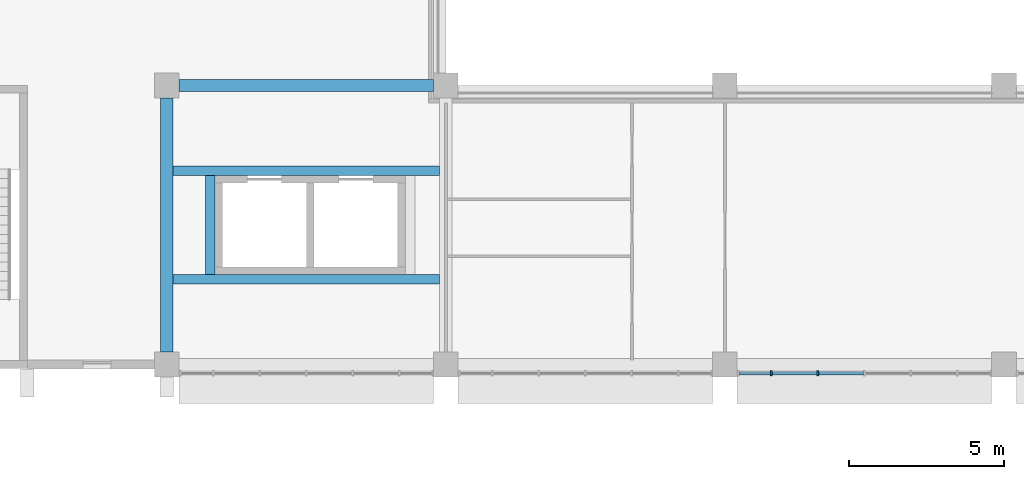
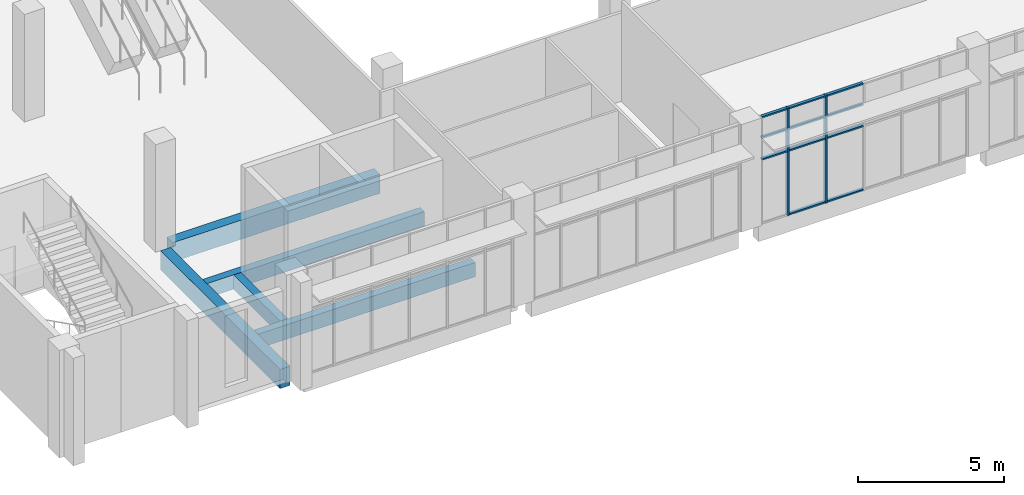
# One storey, part 3 of 79: 13 members, 5 beams, 1 element without a shape of its own.
"""IFC4 building model written with IfcOpenShell, lengths in metres."""

from ifc_helpers import new_model, si_unit, direction, frame, origin, origin_2d, place, context, subcontext, project, spatial, rectangle, extrude, material, layer, layer_set, material_profile, profile_set, type_object, element, aggregate, save


model = new_model("IFC4")

# Units and contexts
model_context = context("Model", 3, precision=1e-05, world=origin(), true_north=direction((0.0, 1.0)))
body_context = subcontext(model_context, "Body", "Model", "MODEL_VIEW")
ifc_project = project(units=[si_unit("LENGTHUNIT", "METRE"), si_unit("AREAUNIT", "SQUARE_METRE"), si_unit("VOLUMEUNIT", "CUBIC_METRE"), si_unit("PLANEANGLEUNIT", "RADIAN"), si_unit("MASSUNIT", "GRAM", prefix="KILO")], contexts=[model_context])

# Site, building, storey
site_placement = place(None, origin())
site = spatial("IfcSite", under=ifc_project, at=site_placement, CompositionType="ELEMENT")
building_placement = place(site_placement, origin())
building = spatial("IfcBuilding", under=site, at=building_placement, Name="Guidao Yard Department Store", CompositionType="ELEMENT")
storey_placement = place(building_placement, frame((0.0, 0.0, 15.0)))
storey = spatial("IfcBuildingStorey", under=building, at=storey_placement, Name="L03", CompositionType="ELEMENT", Elevation=15.0)

# Beams
ifc_material_1 = material(Name="Concrete C40", Category="concrete")
ifc_material_profile_1 = material_profile(ifc_material_1, rectangle(XDim=0.39990234375, YDim=0.800048828125, at=origin_2d()), Name="Edge beam 400 x 800 C40")
ifc_profile_set_1 = profile_set([ifc_material_profile_1], Name="Concrete C40")
beam_type_1 = type_object("IfcBeamType", Name="Edge beam 400 x 800 C40", PredefinedType="BEAM", material=ifc_profile_set_1)
for number, where, z_axis, x_axis, name in (
    (1, (9.39990234375, 54.0, -0.39990234375), (1.0, 0.0, 0.0), (0.0, 1.0, 0.0), "Beam EB30"),
    (2, (9.0, 45.39990234375, -0.39990234375), (0.0, 1.0, 0.0), (-1.0, 0.0, 0.0), "Beam EB31"),
):
    element("IfcBeam", number, at=place(storey_placement, frame(where, z_axis=z_axis, x_axis=x_axis)), inside=storey, type_object=beam_type_1, Name=name, PredefinedType="BEAM", context=body_context, shape_type="SweptSolid", body=[
        extrude(rectangle(XDim=0.39990234375, YDim=0.800048828125, at=origin_2d()), origin(), (0.0, 0.0, 1.0), 8.2001953125),
    ])

# Curtain wall, members
ifc_material_2 = material(Name="Aluminium and glass", Category="aluminium")
ifc_layer = layer(ifc_material_2, 0.159912109375)
ifc_layer_set = layer_set([ifc_layer], Name="Hall front curtain wall CW2 1500 module")
curtain_wall_type = type_object("IfcCurtainWallType", Name="Hall front curtain wall CW2 1500 module", PredefinedType="NOTDEFINED", material=ifc_layer_set)
curtain_wall_placement = place(storey_placement, origin())
curtain_wall = element("IfcCurtainWall", 3, at=curtain_wall_placement, inside=storey, type_object=curtain_wall_type, Name="Hall front curtain wall", PredefinedType="NOTDEFINED")
ifc_material_3 = material(Name="Aluminium 6063-T5", Category="aluminium")
ifc_material_profile_2 = material_profile(ifc_material_3, rectangle(XDim=0.06005859375, YDim=0.159912109375, at=origin_2d()), Name="Mullion M1 60 x 160 aluminium pressure plate")
ifc_profile_set_2 = profile_set([ifc_material_profile_2], Name="Aluminium 6063-T5")
member_type_1 = type_object("IfcMemberType", Name="Mullion M1 60 x 160 aluminium pressure plate", PredefinedType="MULLION", material=ifc_profile_set_2)
member_1_placement = place(storey_placement, frame((28.5, 44.719970703125, 0.0), z_axis=(0.0, 0.0, 1.0), x_axis=(-1.0, 0.0, 0.0)))
member_1 = element("IfcMember", 4, at=member_1_placement, type_object=member_type_1, Name="CW-HF-L03-03 mullion 2", PredefinedType="MULLION", context=body_context, shape_type="SweptSolid", body=[
    extrude(rectangle(XDim=0.06005859375, YDim=0.159912109375, at=origin_2d()), origin(), (0.0, 0.0, 1.0), 4.5),
])
member_2_placement = place(storey_placement, frame((30.0, 44.719970703125, 0.0), z_axis=(0.0, 0.0, 1.0), x_axis=(-1.0, 0.0, 0.0)))
member_2 = element("IfcMember", 5, at=member_2_placement, type_object=member_type_1, Name="CW-HF-L03-03 mullion 3", PredefinedType="MULLION", context=body_context, shape_type="SweptSolid", body=[
    extrude(rectangle(XDim=0.06005859375, YDim=0.159912109375, at=origin_2d()), origin(), (0.0, 0.0, 1.0), 4.5),
])

# Beams
ifc_material_4 = material(Name="Concrete C40", Category="concrete")
ifc_material_profile_3 = material_profile(ifc_material_4, rectangle(XDim=0.300048828125, YDim=0.60009765625, at=origin_2d()), Name="Opening beam 300 x 600 C40")
ifc_profile_set_3 = profile_set([ifc_material_profile_3], Name="Concrete C40")
beam_type_2 = type_object("IfcBeamType", Name="Opening beam 300 x 600 C40", PredefinedType="BEAM", material=ifc_profile_set_3)
for number, where, z_axis, x_axis, name in (
    (6, (9.199951171875, 47.75, -0.300048828125), (1.0, 0.0, 0.0), (0.0, 1.0, 0.0), "Beam OB01"),
    (7, (9.199951171875, 51.25, -0.300048828125), (1.0, 0.0, 0.0), (0.0, 1.0, 0.0), "Beam OB02"),
):
    element("IfcBeam", number, at=place(storey_placement, frame(where, z_axis=z_axis, x_axis=x_axis)), inside=storey, type_object=beam_type_2, Name=name, PredefinedType="BEAM", context=body_context, shape_type="SweptSolid", body=[
        extrude(rectangle(XDim=0.300048828125, YDim=0.60009765625, at=origin_2d()), origin(), (0.0, 0.0, 1.0), 8.60009765625),
    ])
beam_placement = place(storey_placement, frame((10.39990234375, 47.89990234375, -0.300048828125), z_axis=(0.0, 1.0, 0.0), x_axis=(-1.0, 0.0, 0.0)))
element("IfcBeam", 8, at=beam_placement, inside=storey, type_object=beam_type_2, Name="Beam OB03", PredefinedType="BEAM", context=body_context, shape_type="SweptSolid", body=[
    extrude(rectangle(XDim=0.300048828125, YDim=0.60009765625, at=origin_2d()), origin(), (0.0, 0.0, 1.0), 3.2001953125),
])

# Member
ifc_material_5 = material(Name="Aluminium 6063-T5", Category="aluminium")
ifc_material_profile_4 = material_profile(ifc_material_5, rectangle(XDim=0.1201171875, YDim=0.06005859375, at=origin_2d()), Name="Transom T1 60 x 120 aluminium pressure plate")
ifc_profile_set_4 = profile_set([ifc_material_profile_4], Name="Aluminium 6063-T5")
member_type_2 = type_object("IfcMemberType", Name="Transom T1 60 x 120 aluminium pressure plate", PredefinedType="USERDEFINED", material=ifc_profile_set_4)
member_3_placement = place(storey_placement, frame((28.469970703125, 44.719970703125, 2.699951171875), z_axis=(-1.0, 0.0, 0.0), x_axis=(0.0, -1.0, 0.0)))
member_3 = element("IfcMember", 9, at=member_3_placement, type_object=member_type_2, Name="CW-HF-L03-03 transom 1.2", ObjectType="TRANSOM", PredefinedType="USERDEFINED", context=body_context, shape_type="SweptSolid", body=[
    extrude(rectangle(XDim=0.1201171875, YDim=0.06005859375, at=origin_2d()), origin(), (0.0, 0.0, 1.0), 1.010009765625),
])

member_4_placement = place(storey_placement, frame((28.469970703125, 44.719970703125, 3.60009765625), z_axis=(-1.0, 0.0, 0.0), x_axis=(0.0, -1.0, 0.0)))
member_4 = element("IfcMember", 10, at=member_4_placement, type_object=member_type_2, Name="CW-HF-L03-03 transom 1.3", ObjectType="TRANSOM", PredefinedType="USERDEFINED", context=body_context, shape_type="SweptSolid", body=[
    extrude(rectangle(XDim=0.1201171875, YDim=0.06005859375, at=origin_2d()), origin(), (0.0, 0.0, 1.0), 1.010009765625),
])

member_5_placement = place(storey_placement, frame((28.469970703125, 44.719970703125, 4.469970703125), z_axis=(-1.0, 0.0, 0.0), x_axis=(0.0, -1.0, 0.0)))
member_5 = element("IfcMember", 11, at=member_5_placement, type_object=member_type_2, Name="CW-HF-L03-03 transom 1.4", ObjectType="TRANSOM", PredefinedType="USERDEFINED", context=body_context, shape_type="SweptSolid", body=[
    extrude(rectangle(XDim=0.1201171875, YDim=0.06005859375, at=origin_2d()), origin(), (0.0, 0.0, 1.0), 1.010009765625),
])

member_6_placement = place(storey_placement, frame((29.969970703125, 44.719970703125, 0.030029296875), z_axis=(-1.0, 0.0, 0.0), x_axis=(0.0, -1.0, 0.0)))
member_6 = element("IfcMember", 12, at=member_6_placement, type_object=member_type_2, Name="CW-HF-L03-03 transom 2.1", ObjectType="TRANSOM", PredefinedType="USERDEFINED", context=body_context, shape_type="SweptSolid", body=[
    extrude(rectangle(XDim=0.1201171875, YDim=0.06005859375, at=origin_2d()), origin(), (0.0, 0.0, 1.0), 1.43994140625),
])

member_7_placement = place(storey_placement, frame((29.969970703125, 44.719970703125, 2.699951171875), z_axis=(-1.0, 0.0, 0.0), x_axis=(0.0, -1.0, 0.0)))
member_7 = element("IfcMember", 13, at=member_7_placement, type_object=member_type_2, Name="CW-HF-L03-03 transom 2.2", ObjectType="TRANSOM", PredefinedType="USERDEFINED", context=body_context, shape_type="SweptSolid", body=[
    extrude(rectangle(XDim=0.1201171875, YDim=0.06005859375, at=origin_2d()), origin(), (0.0, 0.0, 1.0), 1.43994140625),
])

member_8_placement = place(storey_placement, frame((29.969970703125, 44.719970703125, 3.60009765625), z_axis=(-1.0, 0.0, 0.0), x_axis=(0.0, -1.0, 0.0)))
member_8 = element("IfcMember", 14, at=member_8_placement, type_object=member_type_2, Name="CW-HF-L03-03 transom 2.3", ObjectType="TRANSOM", PredefinedType="USERDEFINED", context=body_context, shape_type="SweptSolid", body=[
    extrude(rectangle(XDim=0.1201171875, YDim=0.06005859375, at=origin_2d()), origin(), (0.0, 0.0, 1.0), 1.43994140625),
])

member_9_placement = place(storey_placement, frame((29.969970703125, 44.719970703125, 4.469970703125), z_axis=(-1.0, 0.0, 0.0), x_axis=(0.0, -1.0, 0.0)))
member_9 = element("IfcMember", 15, at=member_9_placement, type_object=member_type_2, Name="CW-HF-L03-03 transom 2.4", ObjectType="TRANSOM", PredefinedType="USERDEFINED", context=body_context, shape_type="SweptSolid", body=[
    extrude(rectangle(XDim=0.1201171875, YDim=0.06005859375, at=origin_2d()), origin(), (0.0, 0.0, 1.0), 1.43994140625),
])

member_10_placement = place(storey_placement, frame((31.469970703125, 44.719970703125, 0.030029296875), z_axis=(-1.0, 0.0, 0.0), x_axis=(0.0, -1.0, 0.0)))
member_10 = element("IfcMember", 16, at=member_10_placement, type_object=member_type_2, Name="CW-HF-L03-03 transom 3.1", ObjectType="TRANSOM", PredefinedType="USERDEFINED", context=body_context, shape_type="SweptSolid", body=[
    extrude(rectangle(XDim=0.1201171875, YDim=0.06005859375, at=origin_2d()), origin(), (0.0, 0.0, 1.0), 1.43994140625),
])

member_11_placement = place(storey_placement, frame((31.469970703125, 44.719970703125, 2.699951171875), z_axis=(-1.0, 0.0, 0.0), x_axis=(0.0, -1.0, 0.0)))
member_11 = element("IfcMember", 17, at=member_11_placement, type_object=member_type_2, Name="CW-HF-L03-03 transom 3.2", ObjectType="TRANSOM", PredefinedType="USERDEFINED", context=body_context, shape_type="SweptSolid", body=[
    extrude(rectangle(XDim=0.1201171875, YDim=0.06005859375, at=origin_2d()), origin(), (0.0, 0.0, 1.0), 1.43994140625),
])

member_12_placement = place(storey_placement, frame((31.469970703125, 44.719970703125, 3.60009765625), z_axis=(-1.0, 0.0, 0.0), x_axis=(0.0, -1.0, 0.0)))
member_12 = element("IfcMember", 18, at=member_12_placement, type_object=member_type_2, Name="CW-HF-L03-03 transom 3.3", ObjectType="TRANSOM", PredefinedType="USERDEFINED", context=body_context, shape_type="SweptSolid", body=[
    extrude(rectangle(XDim=0.1201171875, YDim=0.06005859375, at=origin_2d()), origin(), (0.0, 0.0, 1.0), 1.43994140625),
])

member_13_placement = place(storey_placement, frame((31.469970703125, 44.719970703125, 4.469970703125), z_axis=(-1.0, 0.0, 0.0), x_axis=(0.0, -1.0, 0.0)))
member_13 = element("IfcMember", 19, at=member_13_placement, type_object=member_type_2, Name="CW-HF-L03-03 transom 3.4", ObjectType="TRANSOM", PredefinedType="USERDEFINED", context=body_context, shape_type="SweptSolid", body=[
    extrude(rectangle(XDim=0.1201171875, YDim=0.06005859375, at=origin_2d()), origin(), (0.0, 0.0, 1.0), 1.43994140625),
])

aggregate(curtain_wall, [member_1, member_2, member_3, member_4, member_5, member_6, member_7, member_8, member_9, member_10, member_11, member_12, member_13])

save(model, "model.ifc")
